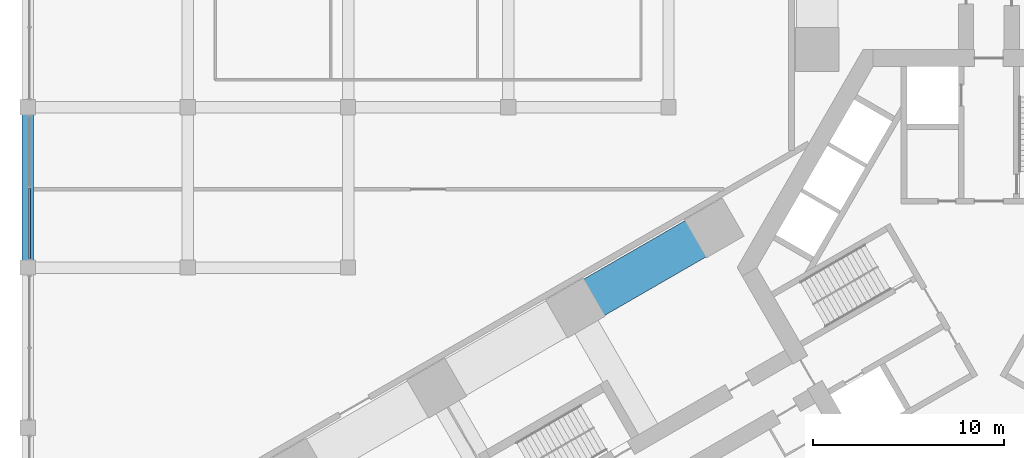
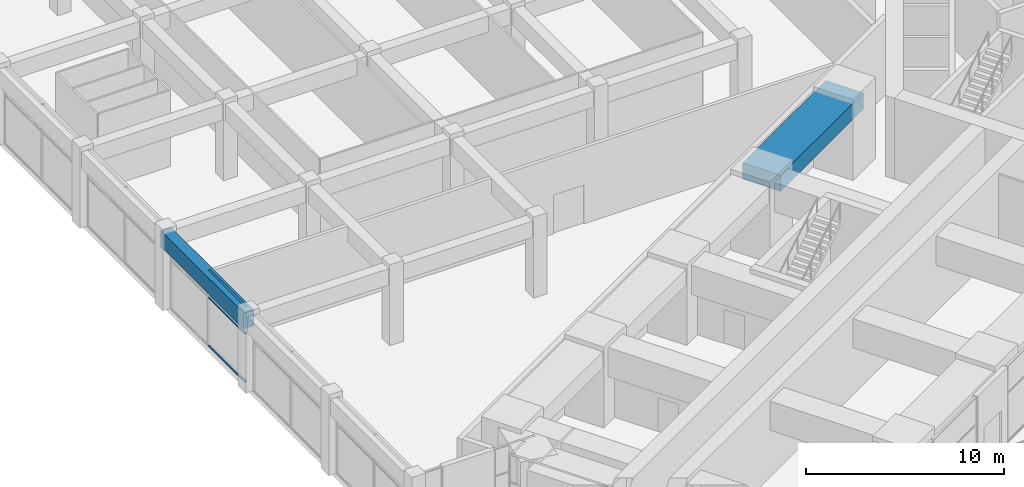
# One storey, part 6 of 34: 3 members, 2 beams, 1 element without a shape of its own.
"""IFC4 building model written with IfcOpenShell, lengths in metres."""

from ifc_helpers import new_model, si_unit, direction, frame, origin, origin_2d, place, context, subcontext, project, spatial, rectangle, extrude, material, material_profile, profile_set, type_object, element, aggregate, save


model = new_model("IFC4")

# Units and contexts
model_context = context("Model", 3, precision=1e-05, world=origin(), true_north=direction((0.0, 1.0)))
body_context = subcontext(model_context, "Body", "Model", "MODEL_VIEW")
ifc_project = project(units=[si_unit("LENGTHUNIT", "METRE"), si_unit("AREAUNIT", "SQUARE_METRE"), si_unit("VOLUMEUNIT", "CUBIC_METRE"), si_unit("PLANEANGLEUNIT", "RADIAN"), si_unit("MASSUNIT", "GRAM", prefix="KILO")], contexts=[model_context])

# Site, building, storey
site_placement = place(None, origin())
site = spatial("IfcSite", under=ifc_project, at=site_placement, CompositionType="ELEMENT")
building_placement = place(site_placement, origin())
building = spatial("IfcBuilding", under=site, at=building_placement, Name="Impinga Residences", CompositionType="ELEMENT")
storey_placement = place(building_placement, frame((0.0, 0.0, 16.0)))
storey = spatial("IfcBuildingStorey", under=building, at=storey_placement, Name="L03", CompositionType="ELEMENT", Elevation=16.0)

# Curtain wall, members
ifc_material_1 = material(Name="Aluminium stick curtain wall", Category="aluminium")
curtain_wall_type = type_object("IfcCurtainWallType", Name="CW1 podium amenity curtain wall", PredefinedType="USERDEFINED", material=ifc_material_1)
curtain_wall_placement = place(storey_placement, origin())
curtain_wall = element("IfcCurtainWall", 1, at=curtain_wall_placement, inside=storey, type_object=curtain_wall_type, Name="Curtain wall CW1 L03", ObjectType="STICK CURTAIN WALL", PredefinedType="USERDEFINED")
ifc_material_2 = material(Name="Aluminium transom", Category="aluminium")
ifc_material_profile_1 = material_profile(ifc_material_2, rectangle(XDim=0.06005859375, YDim=0.1201171875, at=origin_2d()), Name="60x120 transom")
ifc_profile_set_1 = profile_set([ifc_material_profile_1], Name="Aluminium transom")
member_type = type_object("IfcMemberType", Name="CW1-T transom 60x120", PredefinedType="USERDEFINED", material=ifc_profile_set_1)
member_1_placement = place(storey_placement, frame((-50.300048828125, 0.462890625, 0.030029296875), z_axis=(0.0, 1.0, 0.0), x_axis=(0.0, 0.0, 1.0)))
member_1 = element("IfcMember", 2, at=member_1_placement, type_object=member_type, Name="CW1 transom 1.1", ObjectType="TRANSOM", PredefinedType="USERDEFINED", context=body_context, shape_type="SweptSolid", body=[
    extrude(rectangle(XDim=0.06005859375, YDim=0.1201171875, at=origin_2d()), origin(), (0.0, 0.0, 1.0), 3.70703125),
])
member_2_placement = place(storey_placement, frame((-50.300048828125, 0.462890625, 3.0), z_axis=(0.0, 1.0, 0.0), x_axis=(0.0, 0.0, 1.0)))
member_2 = element("IfcMember", 3, at=member_2_placement, type_object=member_type, Name="CW1 transom 1.2", ObjectType="TRANSOM", PredefinedType="USERDEFINED", context=body_context, shape_type="SweptSolid", body=[
    extrude(rectangle(XDim=0.06005859375, YDim=0.1201171875, at=origin_2d()), origin(), (0.0, 0.0, 1.0), 3.70703125),
])
member_3_placement = place(storey_placement, frame((-50.300048828125, 0.462890625, 4.669921875), z_axis=(0.0, 1.0, 0.0), x_axis=(0.0, 0.0, 1.0)))
member_3 = element("IfcMember", 4, at=member_3_placement, type_object=member_type, Name="CW1 transom 1.3", ObjectType="TRANSOM", PredefinedType="USERDEFINED", context=body_context, shape_type="SweptSolid", body=[
    extrude(rectangle(XDim=0.06005859375, YDim=0.1201171875, at=origin_2d()), origin(), (0.0, 0.0, 1.0), 3.70703125),
])
aggregate(curtain_wall, [member_1, member_2, member_3])

# Beams
ifc_material_3 = material(Name="Concrete C60/75", Category="concrete")
ifc_material_profile_2 = material_profile(ifc_material_3, rectangle(XDim=0.60009765625, YDim=1.0, at=origin_2d()), Name="RC 600x1000")
ifc_profile_set_2 = profile_set([ifc_material_profile_2], Name="Concrete C60/75")
beam_type_1 = type_object("IfcBeamType", Name="PB2 600x1000 podium beam", PredefinedType="BEAM", material=ifc_profile_set_2)
beam_1_placement = place(storey_placement, frame((-50.39990234375, 0.0, 4.199951171875), z_axis=(0.0, 1.0, 0.0), x_axis=(-1.0, 0.0, 0.0)))
element("IfcBeam", 5, at=beam_1_placement, inside=storey, type_object=beam_type_1, Name="Beam PB2 1/F-G level L04", PredefinedType="BEAM", context=body_context, shape_type="SweptSolid", body=[
    extrude(rectangle(XDim=0.60009765625, YDim=1.0, at=origin_2d()), origin(), (0.0, 0.0, 1.0), 8.39990234375),
])
ifc_material_profile_3 = material_profile(ifc_material_3, rectangle(XDim=2.199951171875, YDim=1.0, at=origin_2d()), Name="RC 2200x1000")
ifc_profile_set_3 = profile_set([ifc_material_profile_3], Name="Concrete C60/75")
beam_type_2 = type_object("IfcBeamType", Name="PB3 2200x1000 podium band beam", PredefinedType="BEAM", material=ifc_profile_set_3)
beam_2_placement = place(storey_placement, frame((-14.39990234375, 2.078369140625, 4.199951171875), z_axis=(-0.86602925447, -0.499993330357, 0.0), x_axis=(0.499993330357, -0.86602925447, 0.0)))
element("IfcBeam", 6, at=beam_2_placement, inside=storey, type_object=beam_type_2, Name="Beam PB3 WF W1-W2 level L04", PredefinedType="BEAM", context=body_context, shape_type="SweptSolid", body=[
    extrude(rectangle(XDim=2.199951171875, YDim=1.0, at=origin_2d()), origin(), (0.0, 0.0, 1.0), 8.39990234375),
])

save(model, "model.ifc")
